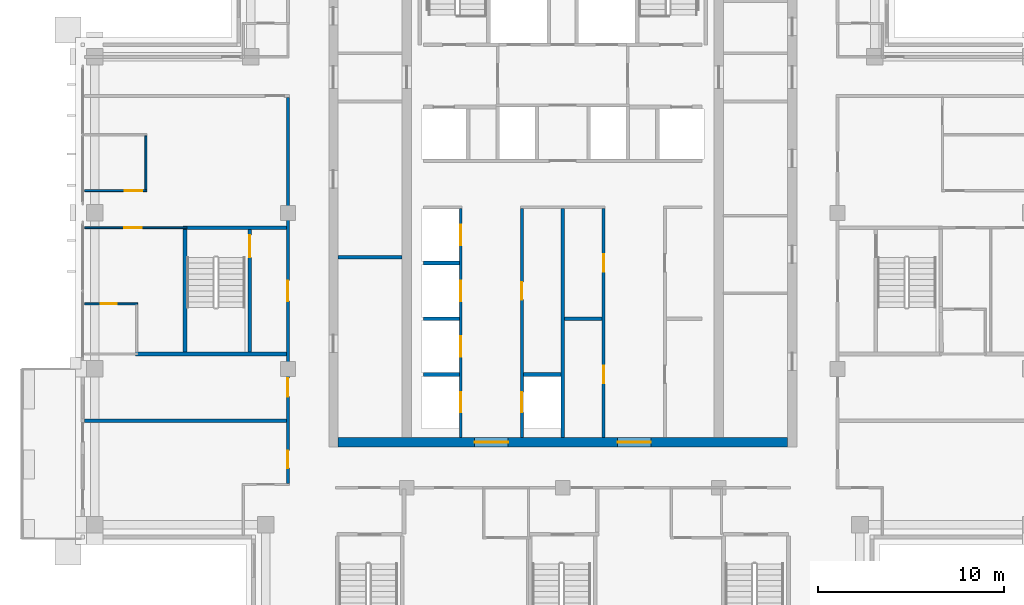
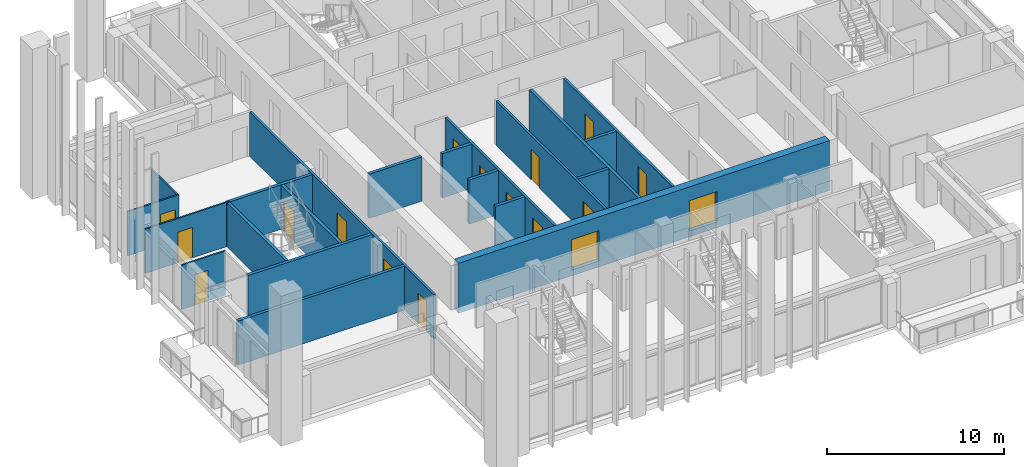
# One storey, part 10 of 20: 21 walls, 17 doors, 17 openings.
"""IFC4 building model written with IfcOpenShell, lengths in metres."""

from ifc_helpers import new_model, si_unit, direction, frame, frame_2d, origin, place, context, subcontext, project, spatial, rectangle, extrude, material, layer, layer_set, type_object, element, fill, save


model = new_model("IFC4")

# Units and contexts
model_context = context("Model", 3, precision=1e-05, world=origin(), true_north=direction((0.0, 1.0)))
body_context = subcontext(model_context, "Body", "Model", "MODEL_VIEW")
ifc_project = project(units=[si_unit("LENGTHUNIT", "METRE"), si_unit("AREAUNIT", "SQUARE_METRE"), si_unit("VOLUMEUNIT", "CUBIC_METRE"), si_unit("PLANEANGLEUNIT", "RADIAN"), si_unit("MASSUNIT", "GRAM", prefix="KILO")], contexts=[model_context])

# Site, building, storey
site_placement = place(None, origin())
site = spatial("IfcSite", under=ifc_project, at=site_placement, CompositionType="ELEMENT")
building_placement = place(site_placement, origin())
building = spatial("IfcBuilding", under=site, at=building_placement, Name="Vermilion Ogive Tower", CompositionType="ELEMENT")
storey_placement = place(building_placement, frame((0.0, 0.0, 223.449951171875)))
storey = spatial("IfcBuildingStorey", under=building, at=storey_placement, Name="L58", CompositionType="ELEMENT", Elevation=223.449951171875)

# Wall, openings, doors
ifc_material_1 = material(Name="Concrete B60", Category="concrete")
ifc_layer_1 = layer(ifc_material_1, 0.5)
ifc_layer_set_1 = layer_set([ifc_layer_1], Name="Core wall 500 B60")
wall_type_1 = type_object("IfcWallType", Name="Core wall 500 B60", PredefinedType="SHEAR", material=ifc_layer_set_1)
wall_1_placement = place(storey_placement, frame((-12.10009765625, -8.14990234375, -0.39990234375), z_axis=(0.0, 0.0, 1.0), x_axis=(1.0, 0.0, 0.0)))
wall_1 = element("IfcWall", 1, at=wall_1_placement, inside=storey, type_object=wall_type_1, Name="L58-CORE-S", PredefinedType="SHEAR", context=body_context, shape_type="SweptSolid", body=[
    extrude(rectangle(XDim=24.2001953125, YDim=0.5, at=frame_2d((12.10009765625, 0.0))), origin(), (0.0, 0.0, 1.0), 3.449951171875),
])
opening_1_placement = place(wall_1_placement, frame((7.35009765625, 0.0, 0.39990234375)))
opening_1 = element("IfcOpeningElement", 2, at=opening_1_placement, cuts=wall_1, Name="Opening DAH047", PredefinedType="OPENING", context=body_context, shape_type="SweptSolid", body=[
    extrude(rectangle(XDim=1.800048828125, YDim=2.10009765625, at=frame_2d((0.89990234375, 1.050048828125))), frame((0.0, 0.260009765625, 0.0), z_axis=(0.0, -1.0, 0.0), x_axis=(1.0, 0.0, 0.0)), (0.0, 0.0, 1.0), 0.52001953125),
])
opening_2_placement = place(wall_1_placement, frame((15.050048828125, 0.0, 0.39990234375)))
opening_2 = element("IfcOpeningElement", 3, at=opening_2_placement, cuts=wall_1, Name="Opening DAH048", PredefinedType="OPENING", context=body_context, shape_type="SweptSolid", body=[
    extrude(rectangle(XDim=1.800048828125, YDim=2.10009765625, at=frame_2d((0.89990234375, 1.050048828125))), frame((0.0, 0.260009765625, 0.0), z_axis=(0.0, -1.0, 0.0), x_axis=(1.0, 0.0, 0.0)), (0.0, 0.0, 1.0), 0.52001953125),
])
ifc_material_2 = material(Name="Timber door leaf", Category="wood")
door_type_1 = type_object("IfcDoorType", Name="Core entry door 1800 x 2100 FD60S", OperationType="DOUBLE_DOOR_SINGLE_SWING", PredefinedType="DOOR", material=ifc_material_2)
door_1_placement = place(opening_1_placement, origin())
door_1 = element("IfcDoor", 4, at=door_1_placement, inside=storey, type_object=door_type_1, Name="L58-CK-XD1", OperationType="SINGLE_SWING_LEFT", OverallHeight=2.10009765625, OverallWidth=1.800048828125, PredefinedType="DOOR", context=body_context, shape_type="SweptSolid", body=[
    extrude(rectangle(XDim=1.800048828125, YDim=2.10009765625, at=frame_2d((0.89990234375, 1.050048828125))), frame((0.0, 0.02490234375, 0.0), z_axis=(0.0, -1.0, 0.0), x_axis=(1.0, 0.0, 0.0)), (0.0, 0.0, 1.0), 0.050048828125),
])
fill(opening_1, door_1)
door_2_placement = place(opening_2_placement, origin())
door_2 = element("IfcDoor", 5, at=door_2_placement, inside=storey, type_object=door_type_1, Name="L58-CK-XD2", OperationType="SINGLE_SWING_LEFT", OverallHeight=2.10009765625, OverallWidth=1.800048828125, PredefinedType="DOOR", context=body_context, shape_type="SweptSolid", body=[
    extrude(rectangle(XDim=1.800048828125, YDim=2.10009765625, at=frame_2d((0.89990234375, 1.050048828125))), frame((0.0, 0.02490234375, 0.0), z_axis=(0.0, -1.0, 0.0), x_axis=(1.0, 0.0, 0.0)), (0.0, 0.0, 1.0), 0.050048828125),
])
fill(opening_2, door_2)

# Wall, opening, door
ifc_material_3 = material(Name="Gypsum board partition on steel studs", Category="steel")
ifc_layer_2 = layer(ifc_material_3, 0.10009765625)
ifc_layer_set_2 = layer_set([ifc_layer_2], Name="Partition 100 bath")
wall_type_2 = type_object("IfcWallType", Name="Partition 100 bath", PredefinedType="PARTITIONING", material=ifc_layer_set_2)
wall_2_placement = place(storey_placement, frame((-25.75, -0.699951171875, 0.0), z_axis=(0.0, 0.0, 1.0), x_axis=(1.0, 0.0, 0.0)))
wall_2 = element("IfcWall", 6, at=wall_2_placement, inside=storey, type_object=wall_type_2, Name="L58-W-W022", PredefinedType="PARTITIONING", context=body_context, shape_type="SweptSolid", body=[
    extrude(rectangle(XDim=2.85009765625, YDim=0.10009765625, at=frame_2d((1.425048828125, 0.0))), origin(), (0.0, 0.0, 1.0), 3.050048828125),
])
opening_3_placement = place(wall_2_placement, frame((0.875, 0.0, 0.0)))
opening_3 = element("IfcOpeningElement", 7, at=opening_3_placement, cuts=wall_2, Name="Opening D5G1006", PredefinedType="OPENING", context=body_context, shape_type="SweptSolid", body=[
    extrude(rectangle(XDim=0.85009765625, YDim=2.10009765625, at=frame_2d((0.425048828125, 1.050048828125))), frame((0.0, 0.06005859375, 0.0), z_axis=(0.0, -1.0, 0.0), x_axis=(1.0, 0.0, 0.0)), (0.0, 0.0, 1.0), 0.1201171875),
])
ifc_material_4 = material(Name="Timber door leaf", Category="wood")
door_type_2 = type_object("IfcDoorType", Name="Bath door 850 x 2100 FD30", OperationType="SINGLE_SWING_LEFT", PredefinedType="DOOR", material=ifc_material_4)
door_3_placement = place(opening_3_placement, origin())
door_3 = element("IfcDoor", 8, at=door_3_placement, inside=storey, type_object=door_type_2, Name="L58-D-D006", OperationType="SINGLE_SWING_RIGHT", OverallHeight=2.10009765625, OverallWidth=0.85009765625, PredefinedType="DOOR", context=body_context, shape_type="SweptSolid", body=[
    extrude(rectangle(XDim=0.85009765625, YDim=2.10009765625, at=frame_2d((0.425048828125, 1.050048828125))), frame((0.0, 0.02490234375, 0.0), z_axis=(0.0, -1.0, 0.0), x_axis=(1.0, 0.0, 0.0)), (0.0, 0.0, 1.0), 0.050048828125),
])
fill(opening_3, door_3)

ifc_material_5 = material(Name="Gypsum board partition on steel studs", Category="steel")
ifc_layer_3 = layer(ifc_material_5, 0.10009765625)
ifc_layer_set_3 = layer_set([ifc_layer_3], Name="Partition 100 inner")
wall_type_3 = type_object("IfcWallType", Name="Partition 100 inner", PredefinedType="PARTITIONING", material=ifc_layer_set_3)
wall_3_placement = place(storey_placement, frame((-25.75, 3.39990234375, 0.0), z_axis=(0.0, 0.0, 1.0), x_axis=(1.0, 0.0, 0.0)))
wall_3 = element("IfcWall", 9, at=wall_3_placement, inside=storey, type_object=wall_type_3, Name="L58-W-W023", PredefinedType="PARTITIONING", context=body_context, shape_type="SweptSolid", body=[
    extrude(rectangle(XDim=5.5, YDim=0.10009765625, at=frame_2d((2.75, 0.0))), origin(), (0.0, 0.0, 1.0), 3.050048828125),
])
opening_4_placement = place(wall_3_placement, frame((2.125, 0.0, 0.0)))
opening_4 = element("IfcOpeningElement", 10, at=opening_4_placement, cuts=wall_3, Name="Opening D5G1005", PredefinedType="OPENING", context=body_context, shape_type="SweptSolid", body=[
    extrude(rectangle(XDim=0.949951171875, YDim=2.10009765625, at=frame_2d((0.47509765625, 1.050048828125))), frame((0.0, 0.06005859375, 0.0), z_axis=(0.0, -1.0, 0.0), x_axis=(1.0, 0.0, 0.0)), (0.0, 0.0, 1.0), 0.1201171875),
])
ifc_material_6 = material(Name="Timber door leaf", Category="wood")
door_type_3 = type_object("IfcDoorType", Name="Inner door 950 x 2100 FD30", OperationType="SINGLE_SWING_LEFT", PredefinedType="DOOR", material=ifc_material_6)
door_4_placement = place(opening_4_placement, origin())
door_4 = element("IfcDoor", 11, at=door_4_placement, inside=storey, type_object=door_type_3, Name="L58-D-D005", OperationType="SINGLE_SWING_LEFT", OverallHeight=2.10009765625, OverallWidth=0.949951171875, PredefinedType="DOOR", context=body_context, shape_type="SweptSolid", body=[
    extrude(rectangle(XDim=0.949951171875, YDim=2.10009765625, at=frame_2d((0.47509765625, 1.050048828125))), frame((0.0, 0.02490234375, 0.0), z_axis=(0.0, -1.0, 0.0), x_axis=(1.0, 0.0, 0.0)), (0.0, 0.0, 1.0), 0.050048828125),
])
fill(opening_4, door_4)

wall_4_placement = place(storey_placement, frame((-25.75, 5.39990234375, 0.0), z_axis=(0.0, 0.0, 1.0), x_axis=(1.0, 0.0, 0.0)))
wall_4 = element("IfcWall", 12, at=wall_4_placement, inside=storey, type_object=wall_type_3, Name="L58-W-W027", PredefinedType="PARTITIONING", context=body_context, shape_type="SweptSolid", body=[
    extrude(rectangle(XDim=3.35009765625, YDim=0.10009765625, at=frame_2d((1.675048828125, 0.0))), origin(), (0.0, 0.0, 1.0), 3.050048828125),
])
opening_5_placement = place(wall_4_placement, frame((2.14990234375, 0.0, 0.0)))
opening_5 = element("IfcOpeningElement", 13, at=opening_5_placement, cuts=wall_4, Name="Opening D5G1003", PredefinedType="OPENING", context=body_context, shape_type="SweptSolid", body=[
    extrude(rectangle(XDim=0.949951171875, YDim=2.10009765625, at=frame_2d((0.47509765625, 1.050048828125))), frame((0.0, 0.06005859375, 0.0), z_axis=(0.0, -1.0, 0.0), x_axis=(1.0, 0.0, 0.0)), (0.0, 0.0, 1.0), 0.1201171875),
])
door_5_placement = place(opening_5_placement, origin())
door_5 = element("IfcDoor", 14, at=door_5_placement, inside=storey, type_object=door_type_3, Name="L58-D-D003", OperationType="SINGLE_SWING_RIGHT", OverallHeight=2.10009765625, OverallWidth=0.949951171875, PredefinedType="DOOR", context=body_context, shape_type="SweptSolid", body=[
    extrude(rectangle(XDim=0.949951171875, YDim=2.10009765625, at=frame_2d((0.47509765625, 1.050048828125))), frame((0.0, 0.02490234375, 0.0), z_axis=(0.0, -1.0, 0.0), x_axis=(1.0, 0.0, 0.0)), (0.0, 0.0, 1.0), 0.050048828125),
])
fill(opening_5, door_5)

# Wall
wall_5_placement = place(storey_placement, frame((-22.449951171875, 5.449951171875, 0.0), z_axis=(0.0, 0.0, 1.0), x_axis=(0.0, 1.0, 0.0)))
element("IfcWall", 15, at=wall_5_placement, inside=storey, type_object=wall_type_3, Name="L58-W-W040", PredefinedType="PARTITIONING", context=body_context, shape_type="SweptSolid", body=[
    extrude(rectangle(XDim=2.900146484375, YDim=0.10009765625, at=frame_2d((1.4501953125, 0.0))), origin(), (0.0, 0.0, 1.0), 3.050048828125),
])

# Wall, openings, doors
ifc_material_7 = material(Name="Gypsum board partition on steel studs", Category="steel")
ifc_layer_4 = layer(ifc_material_7, 0.14990234375)
ifc_layer_set_4 = layer_set([ifc_layer_4], Name="Partition 150 corridor")
wall_type_4 = type_object("IfcWallType", Name="Partition 150 corridor", PredefinedType="PARTITIONING", material=ifc_layer_set_4)
wall_6_placement = place(storey_placement, frame((-14.800048828125, -10.3798828125, 0.0), z_axis=(0.0, 0.0, 1.0), x_axis=(0.0, 1.0, 0.0)))
wall_6 = element("IfcWall", 16, at=wall_6_placement, inside=storey, type_object=wall_type_4, Name="L58-W-W045", PredefinedType="PARTITIONING", context=body_context, shape_type="SweptSolid", body=[
    extrude(rectangle(XDim=20.804931640625, YDim=0.14990234375, at=frame_2d((10.40234375, 0.0))), origin(), (0.0, 0.0, 1.0), 3.050048828125),
])
opening_6_placement = place(wall_6_placement, frame((0.829833984375, 0.0, 0.0)))
opening_6 = element("IfcOpeningElement", 17, at=opening_6_placement, cuts=wall_6, Name="Opening D5G1001", PredefinedType="OPENING", context=body_context, shape_type="SweptSolid", body=[
    extrude(rectangle(XDim=0.949951171875, YDim=2.10009765625, at=frame_2d((0.47509765625, 1.050048828125))), frame((0.0, 0.0849609375, 0.0), z_axis=(0.0, -1.0, 0.0), x_axis=(1.0, 0.0, 0.0)), (0.0, 0.0, 1.0), 0.169921875),
])
opening_7_placement = place(wall_6_placement, frame((9.829833984375, 0.0, 0.0)))
opening_7 = element("IfcOpeningElement", 18, at=opening_7_placement, cuts=wall_6, Name="Opening D5G1031", PredefinedType="OPENING", context=body_context, shape_type="SweptSolid", body=[
    extrude(rectangle(XDim=1.10009765625, YDim=2.10009765625, at=frame_2d((0.550048828125, 1.050048828125))), frame((0.0, 0.0849609375, 0.0), z_axis=(0.0, -1.0, 0.0), x_axis=(1.0, 0.0, 0.0)), (0.0, 0.0, 1.0), 0.169921875),
])
opening_8_placement = place(wall_6_placement, frame((4.679931640625, 0.0, 0.0)))
opening_8 = element("IfcOpeningElement", 19, at=opening_8_placement, cuts=wall_6, Name="Opening D5G1033", PredefinedType="OPENING", context=body_context, shape_type="SweptSolid", body=[
    extrude(rectangle(XDim=1.0, YDim=2.10009765625, at=frame_2d((0.5, 1.050048828125))), frame((0.0, 0.0849609375, 0.0), z_axis=(0.0, -1.0, 0.0), x_axis=(1.0, 0.0, 0.0)), (0.0, 0.0, 1.0), 0.169921875),
])
ifc_material_8 = material(Name="Timber door leaf", Category="wood")
door_type_4 = type_object("IfcDoorType", Name="Stair door 1100 x 2100 FD60S", OperationType="SINGLE_SWING_LEFT", PredefinedType="DOOR", material=ifc_material_8)
door_6_placement = place(opening_7_placement, origin())
door_6 = element("IfcDoor", 20, at=door_6_placement, inside=storey, type_object=door_type_4, Name="L58-D-D031", OperationType="SINGLE_SWING_RIGHT", OverallHeight=2.10009765625, OverallWidth=1.10009765625, PredefinedType="DOOR", context=body_context, shape_type="SweptSolid", body=[
    extrude(rectangle(XDim=1.10009765625, YDim=2.10009765625, at=frame_2d((0.550048828125, 1.050048828125))), frame((0.0, 0.02490234375, 0.0), z_axis=(0.0, -1.0, 0.0), x_axis=(1.0, 0.0, 0.0)), (0.0, 0.0, 1.0), 0.050048828125),
])
fill(opening_7, door_6)
ifc_material_9 = material(Name="Timber door leaf", Category="wood")
door_type_5 = type_object("IfcDoorType", Name="Unit door 1000 x 2100 FD30S", OperationType="SINGLE_SWING_LEFT", PredefinedType="DOOR", material=ifc_material_9)
door_7_placement = place(opening_8_placement, origin())
door_7 = element("IfcDoor", 21, at=door_7_placement, inside=storey, type_object=door_type_5, Name="L58-D-D033", OperationType="SINGLE_SWING_LEFT", OverallHeight=2.10009765625, OverallWidth=1.0, PredefinedType="DOOR", context=body_context, shape_type="SweptSolid", body=[
    extrude(rectangle(XDim=1.0, YDim=2.10009765625, at=frame_2d((0.5, 1.050048828125))), frame((0.0, 0.02490234375, 0.0), z_axis=(0.0, -1.0, 0.0), x_axis=(1.0, 0.0, 0.0)), (0.0, 0.0, 1.0), 0.050048828125),
])
fill(opening_8, door_7)
ifc_material_10 = material(Name="Timber door leaf", Category="wood")
door_type_6 = type_object("IfcDoorType", Name="Unit door 950 x 2100 FD30S", OperationType="SINGLE_SWING_LEFT", PredefinedType="DOOR", material=ifc_material_10)
door_8_placement = place(opening_6_placement, origin())
door_8 = element("IfcDoor", 22, at=door_8_placement, inside=storey, type_object=door_type_6, Name="L58-D-D001", OperationType="SINGLE_SWING_LEFT", OverallHeight=2.10009765625, OverallWidth=0.949951171875, PredefinedType="DOOR", context=body_context, shape_type="SweptSolid", body=[
    extrude(rectangle(XDim=0.949951171875, YDim=2.10009765625, at=frame_2d((0.47509765625, 1.050048828125))), frame((0.0, 0.02490234375, 0.0), z_axis=(0.0, -1.0, 0.0), x_axis=(1.0, 0.0, 0.0)), (0.0, 0.0, 1.0), 0.050048828125),
])
fill(opening_6, door_8)

wall_7_placement = place(storey_placement, frame((-5.5, -7.89892578125, 0.0), z_axis=(0.0, 0.0, 1.0), x_axis=(0.0, 1.0, 0.0)))
wall_7 = element("IfcWall", 23, at=wall_7_placement, inside=storey, type_object=wall_type_4, Name="L58-CK-W-W019", PredefinedType="PARTITIONING", context=body_context, shape_type="SweptSolid", body=[
    extrude(rectangle(XDim=12.323974609375, YDim=0.14990234375, at=frame_2d((6.162109375, 0.0))), origin(), (0.0, 0.0, 1.0), 3.050048828125),
])
opening_9_placement = place(wall_7_placement, frame((1.348876953125, 0.0, 0.0)))
opening_9 = element("IfcOpeningElement", 24, at=opening_9_placement, cuts=wall_7, Name="Opening DAA552", PredefinedType="OPENING", context=body_context, shape_type="SweptSolid", body=[
    extrude(rectangle(XDim=1.10009765625, YDim=2.10009765625, at=frame_2d((0.550048828125, 1.050048828125))), frame((0.0, 0.0849609375, 0.0), z_axis=(0.0, -1.0, 0.0), x_axis=(1.0, 0.0, 0.0)), (0.0, 0.0, 1.0), 0.169921875),
])
opening_10_placement = place(wall_7_placement, frame((4.348876953125, 0.0, 0.0)))
opening_10 = element("IfcOpeningElement", 25, at=opening_10_placement, cuts=wall_7, Name="Opening DAA553", PredefinedType="OPENING", context=body_context, shape_type="SweptSolid", body=[
    extrude(rectangle(XDim=1.10009765625, YDim=2.10009765625, at=frame_2d((0.550048828125, 1.050048828125))), frame((0.0, 0.0849609375, 0.0), z_axis=(0.0, -1.0, 0.0), x_axis=(1.0, 0.0, 0.0)), (0.0, 0.0, 1.0), 0.169921875),
])
opening_11_placement = place(wall_7_placement, frame((7.348876953125, 0.0, 0.0)))
opening_11 = element("IfcOpeningElement", 26, at=opening_11_placement, cuts=wall_7, Name="Opening DAA554", PredefinedType="OPENING", context=body_context, shape_type="SweptSolid", body=[
    extrude(rectangle(XDim=1.10009765625, YDim=2.10009765625, at=frame_2d((0.550048828125, 1.050048828125))), frame((0.0, 0.0849609375, 0.0), z_axis=(0.0, -1.0, 0.0), x_axis=(1.0, 0.0, 0.0)), (0.0, 0.0, 1.0), 0.169921875),
])
opening_12_placement = place(wall_7_placement, frame((10.348876953125, 0.0, 0.0)))
opening_12 = element("IfcOpeningElement", 27, at=opening_12_placement, cuts=wall_7, Name="Opening DAA555", PredefinedType="OPENING", context=body_context, shape_type="SweptSolid", body=[
    extrude(rectangle(XDim=1.10009765625, YDim=2.10009765625, at=frame_2d((0.550048828125, 1.050048828125))), frame((0.0, 0.0849609375, 0.0), z_axis=(0.0, -1.0, 0.0), x_axis=(1.0, 0.0, 0.0)), (0.0, 0.0, 1.0), 0.169921875),
])
ifc_material_11 = material(Name="Stainless steel", Category="steel")
door_type_7 = type_object("IfcDoorType", Name="Lift landing door 1100 x 2100", OperationType="SLIDING_TO_LEFT", PredefinedType="DOOR", material=ifc_material_11)
door_9_placement = place(opening_9_placement, origin())
door_9 = element("IfcDoor", 28, at=door_9_placement, inside=storey, type_object=door_type_7, Name="L58-CK-D-D001", OperationType="SLIDING_TO_LEFT", OverallHeight=2.10009765625, OverallWidth=1.10009765625, PredefinedType="DOOR", context=body_context, shape_type="SweptSolid", body=[
    extrude(rectangle(XDim=1.10009765625, YDim=2.10009765625, at=frame_2d((0.550048828125, 1.050048828125))), frame((0.0, 0.02490234375, 0.0), z_axis=(0.0, -1.0, 0.0), x_axis=(1.0, 0.0, 0.0)), (0.0, 0.0, 1.0), 0.050048828125),
])
fill(opening_9, door_9)
door_10_placement = place(opening_10_placement, origin())
door_10 = element("IfcDoor", 29, at=door_10_placement, inside=storey, type_object=door_type_7, Name="L58-CK-D-D002", OperationType="SLIDING_TO_LEFT", OverallHeight=2.10009765625, OverallWidth=1.10009765625, PredefinedType="DOOR", context=body_context, shape_type="SweptSolid", body=[
    extrude(rectangle(XDim=1.10009765625, YDim=2.10009765625, at=frame_2d((0.550048828125, 1.050048828125))), frame((0.0, 0.02490234375, 0.0), z_axis=(0.0, -1.0, 0.0), x_axis=(1.0, 0.0, 0.0)), (0.0, 0.0, 1.0), 0.050048828125),
])
fill(opening_10, door_10)
door_11_placement = place(opening_11_placement, origin())
door_11 = element("IfcDoor", 30, at=door_11_placement, inside=storey, type_object=door_type_7, Name="L58-CK-D-D003", OperationType="SLIDING_TO_LEFT", OverallHeight=2.10009765625, OverallWidth=1.10009765625, PredefinedType="DOOR", context=body_context, shape_type="SweptSolid", body=[
    extrude(rectangle(XDim=1.10009765625, YDim=2.10009765625, at=frame_2d((0.550048828125, 1.050048828125))), frame((0.0, 0.02490234375, 0.0), z_axis=(0.0, -1.0, 0.0), x_axis=(1.0, 0.0, 0.0)), (0.0, 0.0, 1.0), 0.050048828125),
])
fill(opening_11, door_11)
door_12_placement = place(opening_12_placement, origin())
door_12 = element("IfcDoor", 31, at=door_12_placement, inside=storey, type_object=door_type_7, Name="L58-CK-D-D004", OperationType="SLIDING_TO_LEFT", OverallHeight=2.10009765625, OverallWidth=1.10009765625, PredefinedType="DOOR", context=body_context, shape_type="SweptSolid", body=[
    extrude(rectangle(XDim=1.10009765625, YDim=2.10009765625, at=frame_2d((0.550048828125, 1.050048828125))), frame((0.0, 0.02490234375, 0.0), z_axis=(0.0, -1.0, 0.0), x_axis=(1.0, 0.0, 0.0)), (0.0, 0.0, 1.0), 0.050048828125),
])
fill(opening_12, door_12)

wall_8_placement = place(storey_placement, frame((-2.199951171875, -7.89892578125, 0.0), z_axis=(0.0, 0.0, 1.0), x_axis=(0.0, 1.0, 0.0)))
wall_8 = element("IfcWall", 32, at=wall_8_placement, inside=storey, type_object=wall_type_4, Name="L58-CK-W-W024", PredefinedType="PARTITIONING", context=body_context, shape_type="SweptSolid", body=[
    extrude(rectangle(XDim=12.323974609375, YDim=0.14990234375, at=frame_2d((6.162109375, 0.0))), origin(), (0.0, 0.0, 1.0), 3.050048828125),
])
opening_13_placement = place(wall_8_placement, frame((1.348876953125, 0.0, 0.0)))
opening_13 = element("IfcOpeningElement", 33, at=opening_13_placement, cuts=wall_8, Name="Opening DAA556", PredefinedType="OPENING", context=body_context, shape_type="SweptSolid", body=[
    extrude(rectangle(XDim=1.10009765625, YDim=2.10009765625, at=frame_2d((0.550048828125, 1.050048828125))), frame((0.0, 0.0849609375, 0.0), z_axis=(0.0, -1.0, 0.0), x_axis=(1.0, 0.0, 0.0)), (0.0, 0.0, 1.0), 0.169921875),
])
opening_14_placement = place(wall_8_placement, frame((7.423828125, 0.0, 0.0)))
opening_14 = element("IfcOpeningElement", 34, at=opening_14_placement, cuts=wall_8, Name="Opening DAA543", PredefinedType="OPENING", context=body_context, shape_type="SweptSolid", body=[
    extrude(rectangle(XDim=0.949951171875, YDim=2.10009765625, at=frame_2d((0.47509765625, 1.050048828125))), frame((0.0, 0.0849609375, 0.0), z_axis=(0.0, -1.0, 0.0), x_axis=(1.0, 0.0, 0.0)), (0.0, 0.0, 1.0), 0.169921875),
])
door_13_placement = place(opening_13_placement, origin())
door_13 = element("IfcDoor", 35, at=door_13_placement, inside=storey, type_object=door_type_7, Name="L58-CK-D-D005", OperationType="SLIDING_TO_LEFT", OverallHeight=2.10009765625, OverallWidth=1.10009765625, PredefinedType="DOOR", context=body_context, shape_type="SweptSolid", body=[
    extrude(rectangle(XDim=1.10009765625, YDim=2.10009765625, at=frame_2d((0.550048828125, 1.050048828125))), frame((0.0, 0.02490234375, 0.0), z_axis=(0.0, -1.0, 0.0), x_axis=(1.0, 0.0, 0.0)), (0.0, 0.0, 1.0), 0.050048828125),
])
fill(opening_13, door_13)
ifc_material_12 = material(Name="Timber door leaf", Category="wood")
door_type_8 = type_object("IfcDoorType", Name="Service door 950 x 2100 FD60", OperationType="SINGLE_SWING_LEFT", PredefinedType="DOOR", material=ifc_material_12)
door_14_placement = place(opening_14_placement, origin())
door_14 = element("IfcDoor", 36, at=door_14_placement, inside=storey, type_object=door_type_8, Name="L58-CK-D-D006", OperationType="SINGLE_SWING_RIGHT", OverallHeight=2.10009765625, OverallWidth=0.949951171875, PredefinedType="DOOR", context=body_context, shape_type="SweptSolid", body=[
    extrude(rectangle(XDim=0.949951171875, YDim=2.10009765625, at=frame_2d((0.47509765625, 1.050048828125))), frame((0.0, 0.02490234375, 0.0), z_axis=(0.0, -1.0, 0.0), x_axis=(1.0, 0.0, 0.0)), (0.0, 0.0, 1.0), 0.050048828125),
])
fill(opening_14, door_14)

wall_9_placement = place(storey_placement, frame((2.199951171875, -7.89892578125, 0.0), z_axis=(0.0, 0.0, 1.0), x_axis=(0.0, 1.0, 0.0)))
wall_9 = element("IfcWall", 37, at=wall_9_placement, inside=storey, type_object=wall_type_4, Name="L58-CK-W-W031", PredefinedType="PARTITIONING", context=body_context, shape_type="SweptSolid", body=[
    extrude(rectangle(XDim=12.323974609375, YDim=0.14990234375, at=frame_2d((6.162109375, 0.0))), origin(), (0.0, 0.0, 1.0), 3.050048828125),
])
opening_15_placement = place(wall_9_placement, frame((2.923828125, 0.0, 0.0)))
opening_15 = element("IfcOpeningElement", 38, at=opening_15_placement, cuts=wall_9, Name="Opening DAA544", PredefinedType="OPENING", context=body_context, shape_type="SweptSolid", body=[
    extrude(rectangle(XDim=0.949951171875, YDim=2.10009765625, at=frame_2d((0.47509765625, 1.050048828125))), frame((0.0, 0.0849609375, 0.0), z_axis=(0.0, -1.0, 0.0), x_axis=(1.0, 0.0, 0.0)), (0.0, 0.0, 1.0), 0.169921875),
])
opening_16_placement = place(wall_9_placement, frame((8.923828125, 0.0, 0.0)))
opening_16 = element("IfcOpeningElement", 39, at=opening_16_placement, cuts=wall_9, Name="Opening DAA545", PredefinedType="OPENING", context=body_context, shape_type="SweptSolid", body=[
    extrude(rectangle(XDim=0.949951171875, YDim=2.10009765625, at=frame_2d((0.47509765625, 1.050048828125))), frame((0.0, 0.0849609375, 0.0), z_axis=(0.0, -1.0, 0.0), x_axis=(1.0, 0.0, 0.0)), (0.0, 0.0, 1.0), 0.169921875),
])
door_15_placement = place(opening_15_placement, origin())
door_15 = element("IfcDoor", 40, at=door_15_placement, inside=storey, type_object=door_type_8, Name="L58-CK-D-D007", OperationType="SINGLE_SWING_RIGHT", OverallHeight=2.10009765625, OverallWidth=0.949951171875, PredefinedType="DOOR", context=body_context, shape_type="SweptSolid", body=[
    extrude(rectangle(XDim=0.949951171875, YDim=2.10009765625, at=frame_2d((0.47509765625, 1.050048828125))), frame((0.0, 0.02490234375, 0.0), z_axis=(0.0, -1.0, 0.0), x_axis=(1.0, 0.0, 0.0)), (0.0, 0.0, 1.0), 0.050048828125),
])
fill(opening_15, door_15)
door_16_placement = place(opening_16_placement, origin())
door_16 = element("IfcDoor", 41, at=door_16_placement, inside=storey, type_object=door_type_8, Name="L58-CK-D-D008", OperationType="SINGLE_SWING_RIGHT", OverallHeight=2.10009765625, OverallWidth=0.949951171875, PredefinedType="DOOR", context=body_context, shape_type="SweptSolid", body=[
    extrude(rectangle(XDim=0.949951171875, YDim=2.10009765625, at=frame_2d((0.47509765625, 1.050048828125))), frame((0.0, 0.02490234375, 0.0), z_axis=(0.0, -1.0, 0.0), x_axis=(1.0, 0.0, 0.0)), (0.0, 0.0, 1.0), 0.050048828125),
])
fill(opening_16, door_16)

# Walls
ifc_material_13 = material(Name="Gypsum board partition on steel studs", Category="steel")
ifc_layer_5 = layer(ifc_material_13, 0.199951171875)
ifc_layer_set_5 = layer_set([ifc_layer_5], Name="Partition 200 party")
wall_type_5 = type_object("IfcWallType", Name="Partition 200 party", PredefinedType="PARTITIONING", material=ifc_layer_set_5)
wall_10_placement = place(storey_placement, frame((-25.75, -7.0, 0.0), z_axis=(0.0, 0.0, 1.0), x_axis=(1.0, 0.0, 0.0)))
element("IfcWall", 42, at=wall_10_placement, inside=storey, type_object=wall_type_5, Name="L58-W-W014", PredefinedType="PARTITIONING", context=body_context, shape_type="SweptSolid", body=[
    extrude(rectangle(XDim=10.875, YDim=0.199951171875, at=frame_2d((5.4375, 0.0))), origin(), (0.0, 0.0, 1.0), 3.050048828125),
])
wall_11_placement = place(storey_placement, frame((-7.5, -4.5, 0.0), z_axis=(0.0, 0.0, 1.0), x_axis=(1.0, 0.0, 0.0)))
element("IfcWall", 43, at=wall_11_placement, inside=storey, type_object=wall_type_5, Name="L58-CK-W-W001", PredefinedType="PARTITIONING", context=body_context, shape_type="SweptSolid", body=[
    extrude(rectangle(XDim=1.925048828125, YDim=0.199951171875, at=frame_2d((0.96240234375, 0.0))), origin(), (0.0, 0.0, 1.0), 3.050048828125),
])
wall_12_placement = place(storey_placement, frame((-2.125, -4.5, 0.0), z_axis=(0.0, 0.0, 1.0), x_axis=(1.0, 0.0, 0.0)))
element("IfcWall", 44, at=wall_12_placement, inside=storey, type_object=wall_type_5, Name="L58-CK-W-W002", PredefinedType="PARTITIONING", context=body_context, shape_type="SweptSolid", body=[
    extrude(rectangle(XDim=2.02490234375, YDim=0.199951171875, at=frame_2d((1.012451171875, 0.0))), origin(), (0.0, 0.0, 1.0), 3.050048828125),
])
wall_13_placement = place(storey_placement, frame((-7.5, -1.5, 0.0), z_axis=(0.0, 0.0, 1.0), x_axis=(1.0, 0.0, 0.0)))
element("IfcWall", 45, at=wall_13_placement, inside=storey, type_object=wall_type_5, Name="L58-CK-W-W003", PredefinedType="PARTITIONING", context=body_context, shape_type="SweptSolid", body=[
    extrude(rectangle(XDim=1.925048828125, YDim=0.199951171875, at=frame_2d((0.96240234375, 0.0))), origin(), (0.0, 0.0, 1.0), 3.050048828125),
])
wall_14_placement = place(storey_placement, frame((0.10009765625, -1.5, 0.0), z_axis=(0.0, 0.0, 1.0), x_axis=(1.0, 0.0, 0.0)))
element("IfcWall", 46, at=wall_14_placement, inside=storey, type_object=wall_type_5, Name="L58-CK-W-W004", PredefinedType="PARTITIONING", context=body_context, shape_type="SweptSolid", body=[
    extrude(rectangle(XDim=2.02490234375, YDim=0.199951171875, at=frame_2d((1.012451171875, 0.0))), origin(), (0.0, 0.0, 1.0), 3.050048828125),
])
wall_15_placement = place(storey_placement, frame((-7.5, 1.5, 0.0), z_axis=(0.0, 0.0, 1.0), x_axis=(1.0, 0.0, 0.0)))
element("IfcWall", 47, at=wall_15_placement, inside=storey, type_object=wall_type_5, Name="L58-CK-W-W006", PredefinedType="PARTITIONING", context=body_context, shape_type="SweptSolid", body=[
    extrude(rectangle(XDim=1.925048828125, YDim=0.199951171875, at=frame_2d((0.96240234375, 0.0))), origin(), (0.0, 0.0, 1.0), 3.050048828125),
])
wall_16_placement = place(storey_placement, frame((0.0, -7.89892578125, 0.0), z_axis=(0.0, 0.0, 1.0), x_axis=(0.0, 1.0, 0.0)))
element("IfcWall", 48, at=wall_16_placement, inside=storey, type_object=wall_type_5, Name="L58-CK-W-W027", PredefinedType="PARTITIONING", context=body_context, shape_type="SweptSolid", body=[
    extrude(rectangle(XDim=12.323974609375, YDim=0.199951171875, at=frame_2d((6.162109375, 0.0))), origin(), (0.0, 0.0, 1.0), 3.050048828125),
])
wall_17_placement = place(storey_placement, frame((-12.09912109375, 1.81591796875, 0.0), z_axis=(0.0, 0.0, 1.0), x_axis=(1.0, 0.0, 0.0)))
element("IfcWall", 49, at=wall_17_placement, inside=storey, type_object=wall_type_5, Name="L58-CKW-W-W001", PredefinedType="PARTITIONING", context=body_context, shape_type="SweptSolid", body=[
    extrude(rectangle(XDim=3.4482421875, YDim=0.199951171875, at=frame_2d((1.72412109375, 0.0))), origin(), (0.0, 0.0, 1.0), 3.050048828125),
])
ifc_material_14 = material(Name="Concrete B60", Category="concrete")
ifc_layer_6 = layer(ifc_material_14, 0.199951171875)
ifc_layer_set_6 = layer_set([ifc_layer_6], Name="Stair shaft wall 200 Concrete B60")
wall_type_6 = type_object("IfcWallType", Name="Stair shaft wall 200 Concrete B60", PredefinedType="SOLIDWALL", material=ifc_layer_set_6)
wall_18_placement = place(storey_placement, frame((-23.0, -3.39990234375, 0.0), z_axis=(0.0, 0.0, 1.0), x_axis=(1.0, 0.0, 0.0)))
element("IfcWall", 50, at=wall_18_placement, inside=storey, type_object=wall_type_6, Name="L58-W-W017", PredefinedType="SOLIDWALL", context=body_context, shape_type="SweptSolid", body=[
    extrude(rectangle(XDim=8.125, YDim=0.199951171875, at=frame_2d((4.0625, 0.0))), origin(), (0.0, 0.0, 1.0), 3.050048828125),
])
wall_19_placement = place(storey_placement, frame((-20.449951171875, 3.39990234375, 0.0), z_axis=(0.0, 0.0, 1.0), x_axis=(1.0, 0.0, 0.0)))
element("IfcWall", 51, at=wall_19_placement, inside=storey, type_object=wall_type_6, Name="L58-W-W024", PredefinedType="SOLIDWALL", context=body_context, shape_type="SweptSolid", body=[
    extrude(rectangle(XDim=5.574951171875, YDim=0.199951171875, at=frame_2d((2.78759765625, 0.0))), origin(), (0.0, 0.0, 1.0), 3.050048828125),
])
wall_20_placement = place(storey_placement, frame((-20.35009765625, -3.300048828125, 0.0), z_axis=(0.0, 0.0, 1.0), x_axis=(0.0, 1.0, 0.0)))
element("IfcWall", 52, at=wall_20_placement, inside=storey, type_object=wall_type_6, Name="L58-W-W041", PredefinedType="SOLIDWALL", context=body_context, shape_type="SweptSolid", body=[
    extrude(rectangle(XDim=6.60009765625, YDim=0.199951171875, at=frame_2d((3.300048828125, 0.0))), origin(), (0.0, 0.0, 1.0), 3.050048828125),
])

# Wall, opening, door
wall_21_placement = place(storey_placement, frame((-16.85009765625, -3.300048828125, 0.0), z_axis=(0.0, 0.0, 1.0), x_axis=(0.0, 1.0, 0.0)))
wall_21 = element("IfcWall", 53, at=wall_21_placement, inside=storey, type_object=wall_type_6, Name="L58-W-W044", PredefinedType="SOLIDWALL", context=body_context, shape_type="SweptSolid", body=[
    extrude(rectangle(XDim=6.60009765625, YDim=0.199951171875, at=frame_2d((3.300048828125, 0.0))), origin(), (0.0, 0.0, 1.0), 3.050048828125),
])
opening_17_placement = place(wall_21_placement, frame((5.10009765625, 0.0, 0.0)))
opening_17 = element("IfcOpeningElement", 54, at=opening_17_placement, cuts=wall_21, Name="Opening D5G1032", PredefinedType="OPENING", context=body_context, shape_type="SweptSolid", body=[
    extrude(rectangle(XDim=1.199951171875, YDim=2.10009765625, at=frame_2d((0.60009765625, 1.050048828125))), frame((0.0, 0.10986328125, 0.0), z_axis=(0.0, -1.0, 0.0), x_axis=(1.0, 0.0, 0.0)), (0.0, 0.0, 1.0), 0.219970703125),
])
ifc_material_15 = material(Name="Timber door leaf", Category="wood")
door_type_9 = type_object("IfcDoorType", Name="Stair door 1200 x 2100 FD60S", OperationType="SINGLE_SWING_LEFT", PredefinedType="DOOR", material=ifc_material_15)
door_17_placement = place(opening_17_placement, origin())
door_17 = element("IfcDoor", 55, at=door_17_placement, inside=storey, type_object=door_type_9, Name="L58-D-D032", OperationType="SINGLE_SWING_RIGHT", OverallHeight=2.10009765625, OverallWidth=1.199951171875, PredefinedType="DOOR", context=body_context, shape_type="SweptSolid", body=[
    extrude(rectangle(XDim=1.199951171875, YDim=2.10009765625, at=frame_2d((0.60009765625, 1.050048828125))), frame((0.0, 0.02490234375, 0.0), z_axis=(0.0, -1.0, 0.0), x_axis=(1.0, 0.0, 0.0)), (0.0, 0.0, 1.0), 0.050048828125),
])
fill(opening_17, door_17)

save(model, "model.ifc")
